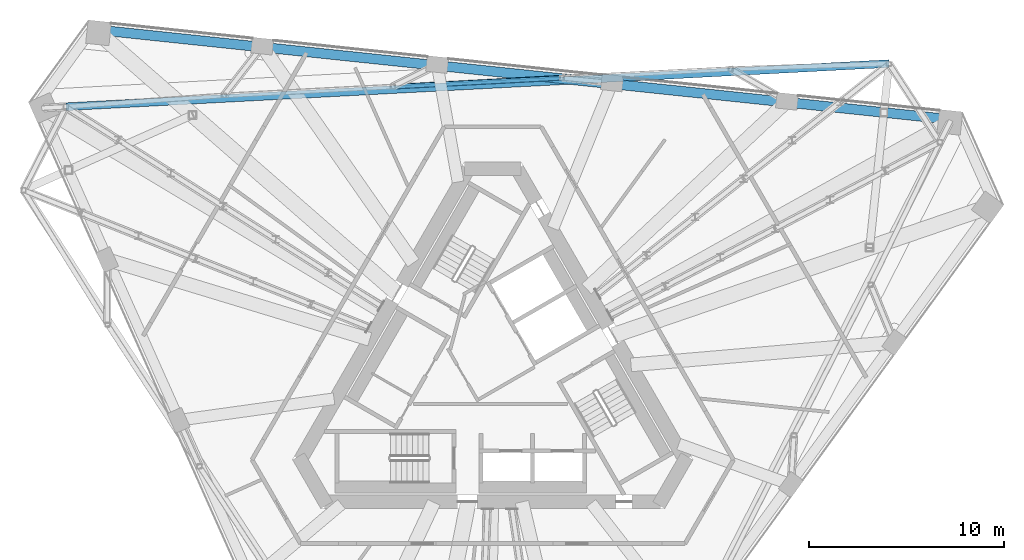
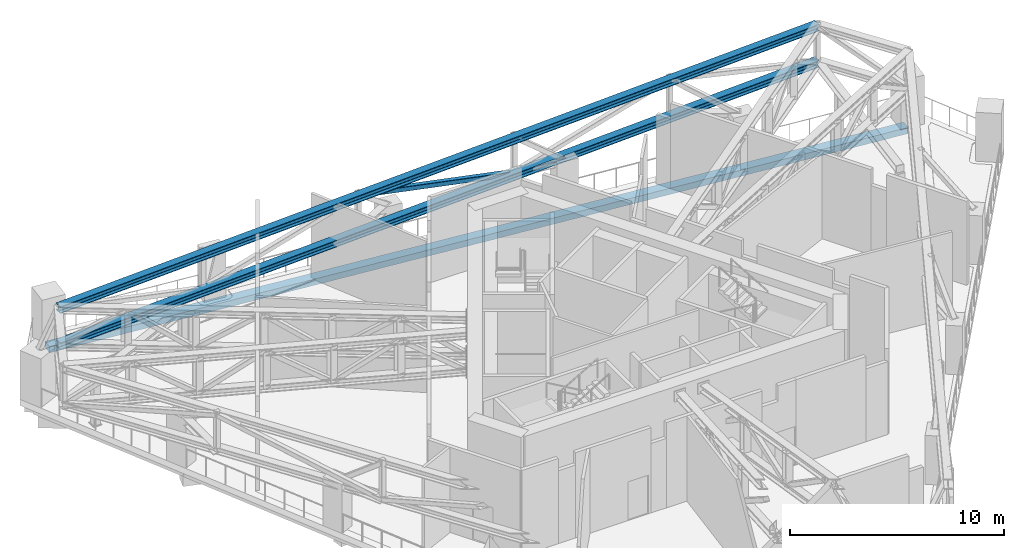
# One storey, part 9 of 20: 3 members, 1 beam.
"""IFC4 building model written with IfcOpenShell, lengths in metres."""

from ifc_helpers import new_model, si_unit, direction, frame, origin, origin_2d, place, context, subcontext, project, spatial, rectangle, hollow_rectangle, i_section, extrude, material, material_profile, profile_set, type_object, element, save


model = new_model("IFC4")

# Units and contexts
model_context = context("Model", 3, precision=1e-05, world=origin(), true_north=direction((0.0, 1.0)))
body_context = subcontext(model_context, "Body", "Model", "MODEL_VIEW")
ifc_project = project(units=[si_unit("LENGTHUNIT", "METRE"), si_unit("AREAUNIT", "SQUARE_METRE"), si_unit("VOLUMEUNIT", "CUBIC_METRE"), si_unit("PLANEANGLEUNIT", "RADIAN"), si_unit("MASSUNIT", "GRAM", prefix="KILO")], contexts=[model_context])

# Site, building, storey
site_placement = place(None, origin())
site = spatial("IfcSite", under=ifc_project, at=site_placement, CompositionType="ELEMENT")
building_placement = place(site_placement, origin())
building = spatial("IfcBuilding", under=site, at=building_placement, Name="Tramontana Tower", CompositionType="ELEMENT")
storey_placement = place(building_placement, frame((0.0, 0.0, 269.199951171875)))
storey = spatial("IfcBuildingStorey", under=building, at=storey_placement, Name="L63", CompositionType="ELEMENT", Elevation=269.199951171875)

# Members
ifc_material_1 = material(Name="Steel ASTM A500 Grade C", Category="steel")
ifc_material_profile_1 = material_profile(ifc_material_1, hollow_rectangle(XDim=0.25390625, YDim=0.25390625, WallThickness=0.01171875, InnerFilletRadius=0.01171875, OuterFilletRadius=0.023681640625, at=origin_2d()), Name="HSS10X10X1/2")
ifc_profile_set_1 = profile_set([ifc_material_profile_1], Name="Steel ASTM A500 Grade C")
member_type_1 = type_object("IfcMemberType", Name="Belt truss HSS10X10X1/2 brace", PredefinedType="BRACE", material=ifc_profile_set_1)
member_placement = place(storey_placement, frame((3.533935546875, 15.305908203125, 2.59375), z_axis=(-0.971460482424, -0.050898561861, 0.231676212611), x_axis=(0.052322091377, -0.998630261285, 0.0)))
element("IfcMember", 1, at=member_placement, inside=storey, type_object=member_type_1, Name="Belt truss diagonal S2.3", PredefinedType="BRACE", context=body_context, shape_type="SweptSolid", body=[
    extrude(hollow_rectangle(XDim=0.25390625, YDim=0.25390625, WallThickness=0.01171875, InnerFilletRadius=0.01171875, OuterFilletRadius=0.023681640625, at=origin_2d()), origin(), (0.0, 0.0, 1.0), 8.902587890625),
])
ifc_material_2 = material(Name="Steel ASTM A992 Grade 50", Category="steel")
ifc_material_profile_2 = material_profile(ifc_material_2, i_section(OverallWidth=0.39697265625, OverallDepth=0.387451171875, WebThickness=0.020751953125, FlangeThickness=0.033447265625, FilletRadius=0.01513671875, at=origin_2d()), Name="W14X176")
ifc_profile_set_2 = profile_set([ifc_material_profile_2], Name="Steel ASTM A992 Grade 50")
member_type_2 = type_object("IfcMemberType", Name="Belt truss W14X176 chord", PredefinedType="CHORD", material=ifc_profile_set_2)
for number, where, z_axis, x_axis, name in (
    (2, (20.289306640625, 16.03369140625, 2.59375), (-0.998629709648, -0.052332618967, 0.0), (0.052332618967, -0.998629709648, 0.0), "Belt truss bottom chord S2"),
    (3, (20.289306640625, 16.03369140625, 4.65625), (-0.998629709648, -0.052332618967, 0.0), (0.052332618967, -0.998629709648, 0.0), "Belt truss top chord S2"),
):
    element("IfcMember", number, at=place(storey_placement, frame(where, z_axis=z_axis, x_axis=x_axis)), inside=storey, type_object=member_type_2, Name=name, PredefinedType="CHORD", context=body_context, shape_type="SweptSolid", body=[
        extrude(i_section(OverallWidth=0.39697265625, OverallDepth=0.387451171875, WebThickness=0.020751953125, FlangeThickness=0.033447265625, FilletRadius=0.01513671875, at=origin_2d()), origin(), (0.0, 0.0, 1.0), 42.201171875),
    ])

# Beam
ifc_material_3 = material(Name="Concrete 40 MPa", Category="concrete")
ifc_material_profile_3 = material_profile(ifc_material_3, rectangle(XDim=0.5, YDim=0.35009765625, at=origin_2d()), Name="RC EDGE BEAM 500X350 40 MPa")
ifc_profile_set_3 = profile_set([ifc_material_profile_3], Name="Concrete 40 MPa")
beam_type = type_object("IfcBeamType", Name="RC EDGE BEAM 500X350 40 MPa", PredefinedType="SPANDREL", material=ifc_profile_set_3)
beam_placement = place(storey_placement, frame((23.422119140625, 13.173828125, -0.52490234375), z_axis=(-0.994522012351, 0.104527350249, 0.0), x_axis=(-0.104527350249, -0.994522012351, 0.0)))
element("IfcBeam", 4, at=beam_placement, inside=storey, type_object=beam_type, Name="Spandrel beam S2 L63", PredefinedType="SPANDREL", context=body_context, shape_type="SweptSolid", body=[
    extrude(rectangle(XDim=0.5, YDim=0.35009765625, at=origin_2d()), origin(), (0.0, 0.0, 1.0), 43.83349609375),
])

save(model, "model.ifc")
